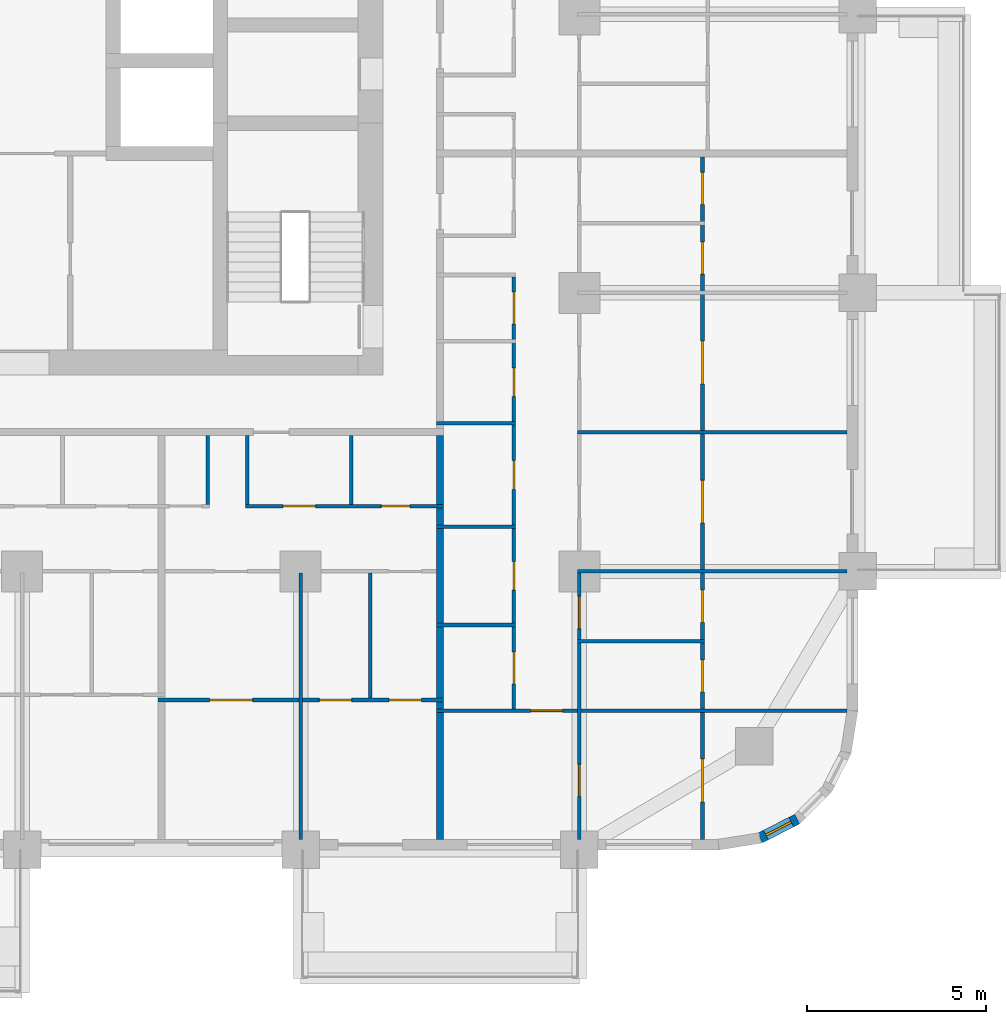
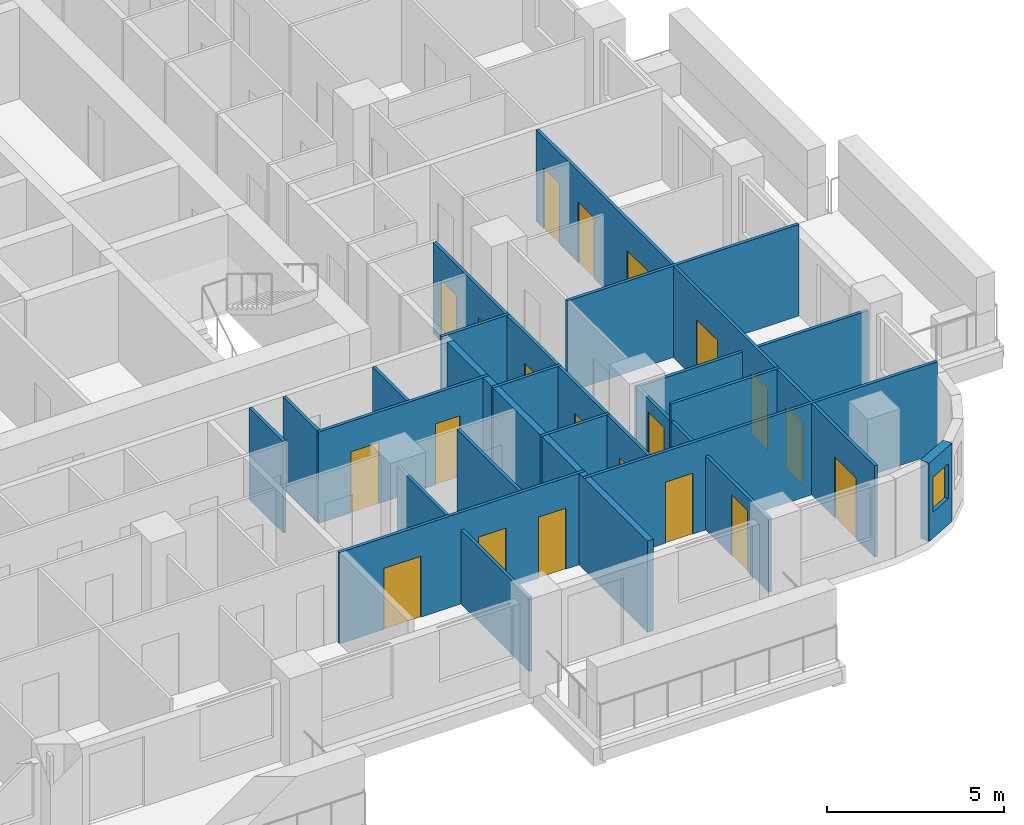
# One storey, part 7 of 17: 20 doors, 19 walls, 1 window, 21 openings.
"""IFC4 building model written with IfcOpenShell, lengths in metres."""

from ifc_helpers import new_model, si_unit, direction, frame, frame_2d, origin, place, context, subcontext, project, spatial, rectangle, extrude, material, layer, layer_set, type_object, element, fill, save


model = new_model("IFC4")

# Units and contexts
model_context = context("Model", 3, precision=1e-05, world=origin(), true_north=direction((0.0, 1.0)))
body_context = subcontext(model_context, "Body", "Model", "MODEL_VIEW")
ifc_project = project(units=[si_unit("LENGTHUNIT", "METRE"), si_unit("AREAUNIT", "SQUARE_METRE"), si_unit("VOLUMEUNIT", "CUBIC_METRE"), si_unit("PLANEANGLEUNIT", "RADIAN"), si_unit("MASSUNIT", "GRAM", prefix="KILO")], contexts=[model_context])

# Site, building, storey
site_placement = place(None, origin())
site = spatial("IfcSite", under=ifc_project, at=site_placement, CompositionType="ELEMENT")
building_placement = place(site_placement, origin())
building = spatial("IfcBuilding", under=site, at=building_placement, Name="Ludao Terraces", CompositionType="ELEMENT")
storey_placement = place(building_placement, frame((0.0, 0.0, 19.5)))
storey = spatial("IfcBuildingStorey", under=building, at=storey_placement, Name="L04", CompositionType="ELEMENT", Elevation=19.5)

# Wall, opening, window
ifc_material_1 = material(Name="Granite cladding", Category="masonry")
ifc_layer_1 = layer(ifc_material_1, 0.0400390625, Category="stone")
ifc_material_2 = material(Name="Mineral wool")
ifc_layer_2 = layer(ifc_material_2, 0.06005859375)
ifc_material_3 = material(Name="Concrete C40", Category="concrete")
ifc_layer_3 = layer(ifc_material_3, 0.199951171875, Category="concrete")
ifc_layer_set_1 = layer_set([ifc_layer_1, ifc_layer_2, ifc_layer_3], Name="ENV Stone-clad wall 300")
wall_type_1 = type_object("IfcWallType", Name="ENV Stone-clad wall 300", PredefinedType="SOLIDWALL", material=ifc_layer_set_1)
wall_1_placement = place(storey_placement, frame((105.65869140625, 41.93359375, 0.0), z_axis=(0.0, 0.0, 1.0), x_axis=(0.890988677504, 0.454025524128, 0.0)))
wall_1 = element("IfcWall", 1, at=wall_1_placement, inside=storey, type_object=wall_type_1, Name="EW-L04-SE2", PredefinedType="SOLIDWALL", context=body_context, shape_type="SweptSolid", body=[
    extrude(rectangle(XDim=1.17333984375, YDim=0.300048828125, at=frame_2d((0.586669921875, 0.0))), origin(), (0.0, 0.0, 1.0), 2.699951171875),
])
opening_1_placement = place(wall_1_placement, frame((0.1865234375, 0.0, 0.89990234375)))
opening_1 = element("IfcOpeningElement", 2, at=opening_1_placement, cuts=wall_1, Name="Opening W3", PredefinedType="OPENING", context=body_context, shape_type="SweptSolid", body=[
    extrude(rectangle(XDim=0.800048828125, YDim=1.199951171875, at=frame_2d((0.39990234375, 0.60009765625))), frame((0.0, 0.16015625, 0.0), z_axis=(0.0, -1.0, 0.0), x_axis=(1.0, 0.0, 0.0)), (0.0, 0.0, 1.0), 0.320068359375),
])
ifc_material_4 = material(Name="Clear glass in aluminium frame", Category="aluminium")
ifc_layer_4 = layer(ifc_material_4, 0.06005859375)
ifc_layer_set_2 = layer_set([ifc_layer_4], Name="ENV Window W3 800x1200")
window_type = type_object("IfcWindowType", Name="ENV Window W3 800x1200", PartitioningType="SINGLE_PANEL", PredefinedType="WINDOW", material=ifc_layer_set_2)
window_placement = place(opening_1_placement, origin())
window = element("IfcWindow", 3, at=window_placement, inside=storey, type_object=window_type, Name="W-L04-SE2", OverallHeight=1.199951171875, OverallWidth=0.800048828125, PartitioningType="SINGLE_PANEL", PredefinedType="WINDOW", context=body_context, shape_type="SweptSolid", body=[
    extrude(rectangle(XDim=0.800048828125, YDim=1.199951171875, at=frame_2d((0.39990234375, 0.60009765625))), frame((0.0, 0.030029296875, 0.0), z_axis=(0.0, -1.0, 0.0), x_axis=(1.0, 0.0, 0.0)), (0.0, 0.0, 1.0), 0.06005859375),
])
fill(opening_1, window)

# Wall, opening, door
ifc_material_5 = material(Name="Gypsum plasterboard", Category="gypsum")
ifc_layer_5 = layer(ifc_material_5, 0.012451171875, Category="gypsum")
ifc_layer_6 = layer(ifc_material_2, 0.06005859375, Name="insulation")
ifc_material_6 = material(Name="Steel Q235", Category="steel")
ifc_layer_7 = layer(ifc_material_6, 0.014892578125, Name="stud")
ifc_layer_8 = layer(ifc_material_5, 0.012451171875, Category="gypsum")
ifc_layer_set_3 = layer_set([ifc_layer_5, ifc_layer_6, ifc_layer_7, ifc_layer_8], Name="INT Partition 100")
wall_type_2 = type_object("IfcWallType", Name="INT Partition 100", PredefinedType="PARTITIONING", material=ifc_layer_set_3)
wall_2_placement = place(storey_placement, frame((96.60009765625, 45.5, 0.0), z_axis=(0.0, 0.0, 1.0), x_axis=(1.0, 0.0, 0.0)))
wall_2 = element("IfcWall", 4, at=wall_2_placement, inside=storey, type_object=wall_type_2, Name="PW-L04-PW001", PredefinedType="PARTITIONING", context=body_context, shape_type="SweptSolid", body=[
    extrude(rectangle(XDim=11.5, YDim=0.10009765625, at=frame_2d((5.75, 0.0))), origin(), (0.0, 0.0, 1.0), 3.14990234375),
])
opening_2_placement = place(wall_2_placement, frame((2.635009765625, 0.0, 0.0)))
opening_2 = element("IfcOpeningElement", 5, at=opening_2_placement, cuts=wall_2, Name="Opening R01-006", PredefinedType="OPENING", context=body_context, shape_type="SweptSolid", body=[
    extrude(rectangle(XDim=0.89990234375, YDim=2.10009765625, at=frame_2d((0.449951171875, 1.050048828125))), frame((0.0, 0.06005859375, 0.0), z_axis=(0.0, -1.0, 0.0), x_axis=(1.0, 0.0, 0.0)), (0.0, 0.0, 1.0), 0.1201171875),
])
ifc_material_7 = material(Name="Timber door leaf", Category="wood")
door_type_1 = type_object("IfcDoorType", Name="INT Room door 900", OperationType="SINGLE_SWING_LEFT", PredefinedType="DOOR", material=ifc_material_7)
door_1_placement = place(opening_2_placement, origin())
door_1 = element("IfcDoor", 6, at=door_1_placement, inside=storey, type_object=door_type_1, Name="DOOR 006", OperationType="SINGLE_SWING_LEFT", OverallHeight=2.10009765625, OverallWidth=0.89990234375, PredefinedType="DOOR", context=body_context, shape_type="SweptSolid", body=[
    extrude(rectangle(XDim=0.89990234375, YDim=2.10009765625, at=frame_2d((0.449951171875, 1.050048828125))), frame((0.0, 0.02490234375, 0.0), z_axis=(0.0, -1.0, 0.0), x_axis=(1.0, 0.0, 0.0)), (0.0, 0.0, 1.0), 0.050048828125),
])
fill(opening_2, door_1)

# Wall, openings, doors
wall_3_placement = place(storey_placement, frame((88.800048828125, 45.800048828125, 0.0), z_axis=(0.0, 0.0, 1.0), x_axis=(1.0, 0.0, 0.0)))
wall_3 = element("IfcWall", 7, at=wall_3_placement, inside=storey, type_object=wall_type_2, Name="PW-L04-PW002", PredefinedType="PARTITIONING", context=body_context, shape_type="SweptSolid", body=[
    extrude(rectangle(XDim=8.0, YDim=0.10009765625, at=frame_2d((4.0, 0.0))), origin(), (0.0, 0.0, 1.0), 3.14990234375),
])
opening_3_placement = place(wall_3_placement, frame((1.449951171875, 0.0, 0.0)))
opening_3 = element("IfcOpeningElement", 8, at=opening_3_placement, cuts=wall_3, Name="Opening R01-007", PredefinedType="OPENING", context=body_context, shape_type="SweptSolid", body=[
    extrude(rectangle(XDim=1.199951171875, YDim=2.10009765625, at=frame_2d((0.60009765625, 1.050048828125))), frame((0.0, 0.06005859375, 0.0), z_axis=(0.0, -1.0, 0.0), x_axis=(1.0, 0.0, 0.0)), (0.0, 0.0, 1.0), 0.1201171875),
])
opening_4_placement = place(wall_3_placement, frame((4.52490234375, 0.0, 0.0)))
opening_4 = element("IfcOpeningElement", 9, at=opening_4_placement, cuts=wall_3, Name="Opening R01-008", PredefinedType="OPENING", context=body_context, shape_type="SweptSolid", body=[
    extrude(rectangle(XDim=0.89990234375, YDim=2.10009765625, at=frame_2d((0.449951171875, 1.050048828125))), frame((0.0, 0.06005859375, 0.0), z_axis=(0.0, -1.0, 0.0), x_axis=(1.0, 0.0, 0.0)), (0.0, 0.0, 1.0), 0.1201171875),
])
opening_5_placement = place(wall_3_placement, frame((6.47509765625, 0.0, 0.0)))
opening_5 = element("IfcOpeningElement", 10, at=opening_5_placement, cuts=wall_3, Name="Opening R01-009", PredefinedType="OPENING", context=body_context, shape_type="SweptSolid", body=[
    extrude(rectangle(XDim=0.89990234375, YDim=2.10009765625, at=frame_2d((0.449951171875, 1.050048828125))), frame((0.0, 0.06005859375, 0.0), z_axis=(0.0, -1.0, 0.0), x_axis=(1.0, 0.0, 0.0)), (0.0, 0.0, 1.0), 0.1201171875),
])
door_type_2 = type_object("IfcDoorType", Name="INT Bathroom door 900", OperationType="SINGLE_SWING_LEFT", PredefinedType="DOOR", material=ifc_material_7)
door_2_placement = place(opening_4_placement, origin())
door_2 = element("IfcDoor", 11, at=door_2_placement, inside=storey, type_object=door_type_2, Name="DOOR 008", OperationType="SINGLE_SWING_LEFT", OverallHeight=2.10009765625, OverallWidth=0.89990234375, PredefinedType="DOOR", context=body_context, shape_type="SweptSolid", body=[
    extrude(rectangle(XDim=0.89990234375, YDim=2.10009765625, at=frame_2d((0.449951171875, 1.050048828125))), frame((0.0, 0.02490234375, 0.0), z_axis=(0.0, -1.0, 0.0), x_axis=(1.0, 0.0, 0.0)), (0.0, 0.0, 1.0), 0.050048828125),
])
fill(opening_4, door_2)
door_type_3 = type_object("IfcDoorType", Name="INT Double door 1200", OperationType="DOUBLE_DOOR_SINGLE_SWING", PredefinedType="DOOR", material=ifc_material_7)
door_3_placement = place(opening_3_placement, origin())
door_3 = element("IfcDoor", 12, at=door_3_placement, inside=storey, type_object=door_type_3, Name="DOOR 007", OperationType="DOUBLE_DOOR_SINGLE_SWING", OverallHeight=2.10009765625, OverallWidth=1.199951171875, PredefinedType="DOOR", context=body_context, shape_type="SweptSolid", body=[
    extrude(rectangle(XDim=1.199951171875, YDim=2.10009765625, at=frame_2d((0.60009765625, 1.050048828125))), frame((0.0, 0.02490234375, 0.0), z_axis=(0.0, -1.0, 0.0), x_axis=(1.0, 0.0, 0.0)), (0.0, 0.0, 1.0), 0.050048828125),
])
fill(opening_3, door_3)
door_4_placement = place(opening_5_placement, origin())
door_4 = element("IfcDoor", 13, at=door_4_placement, inside=storey, type_object=door_type_1, Name="DOOR 009", OperationType="SINGLE_SWING_RIGHT", OverallHeight=2.10009765625, OverallWidth=0.89990234375, PredefinedType="DOOR", context=body_context, shape_type="SweptSolid", body=[
    extrude(rectangle(XDim=0.89990234375, YDim=2.10009765625, at=frame_2d((0.449951171875, 1.050048828125))), frame((0.0, 0.02490234375, 0.0), z_axis=(0.0, -1.0, 0.0), x_axis=(1.0, 0.0, 0.0)), (0.0, 0.0, 1.0), 0.050048828125),
])
fill(opening_5, door_4)

# Walls
wall_4_placement = place(storey_placement, frame((100.550048828125, 47.449951171875, 0.0), z_axis=(0.0, 0.0, 1.0), x_axis=(1.0, 0.0, 0.0)))
element("IfcWall", 14, at=wall_4_placement, inside=storey, type_object=wall_type_2, Name="PW-L04-PW004", PredefinedType="PARTITIONING", context=body_context, shape_type="SweptSolid", body=[
    extrude(rectangle(XDim=3.550048828125, YDim=0.10009765625, at=frame_2d((1.77490234375, 0.0))), origin(), (0.0, 0.0, 1.0), 3.14990234375),
])
wall_5_placement = place(storey_placement, frame((96.60009765625, 47.89990234375, 0.0), z_axis=(0.0, 0.0, 1.0), x_axis=(1.0, 0.0, 0.0)))
element("IfcWall", 15, at=wall_5_placement, inside=storey, type_object=wall_type_2, Name="PW-L04-PW006", PredefinedType="PARTITIONING", context=body_context, shape_type="SweptSolid", body=[
    extrude(rectangle(XDim=2.219970703125, YDim=0.10009765625, at=frame_2d((1.10986328125, 0.0))), origin(), (0.0, 0.0, 1.0), 3.14990234375),
])
wall_6_placement = place(storey_placement, frame((100.550048828125, 49.39990234375, 0.0), z_axis=(0.0, 0.0, 1.0), x_axis=(1.0, 0.0, 0.0)))
element("IfcWall", 16, at=wall_6_placement, inside=storey, type_object=wall_type_2, Name="PW-L04-PW009", PredefinedType="PARTITIONING", context=body_context, shape_type="SweptSolid", body=[
    extrude(rectangle(XDim=7.550048828125, YDim=0.10009765625, at=frame_2d((3.77490234375, 0.0))), origin(), (0.0, 0.0, 1.0), 2.550048828125),
])
wall_7_placement = place(storey_placement, frame((96.60009765625, 50.64990234375, 0.0), z_axis=(0.0, 0.0, 1.0), x_axis=(1.0, 0.0, 0.0)))
element("IfcWall", 17, at=wall_7_placement, inside=storey, type_object=wall_type_2, Name="PW-L04-PW011", PredefinedType="PARTITIONING", context=body_context, shape_type="SweptSolid", body=[
    extrude(rectangle(XDim=2.219970703125, YDim=0.10009765625, at=frame_2d((1.10986328125, 0.0))), origin(), (0.0, 0.0, 1.0), 3.14990234375),
])

# Wall, openings, doors
wall_8_placement = place(storey_placement, frame((91.25, 51.22998046875, 0.0), z_axis=(0.0, 0.0, 1.0), x_axis=(1.0, 0.0, 0.0)))
wall_8 = element("IfcWall", 18, at=wall_8_placement, inside=storey, type_object=wall_type_2, Name="PW-L04-PW014", PredefinedType="PARTITIONING", context=body_context, shape_type="SweptSolid", body=[
    extrude(rectangle(XDim=5.550048828125, YDim=0.10009765625, at=frame_2d((2.77490234375, 0.0))), origin(), (0.0, 0.0, 1.0), 3.14990234375),
])
opening_6_placement = place(wall_8_placement, frame((1.06005859375, 0.0, 0.0)))
opening_6 = element("IfcOpeningElement", 19, at=opening_6_placement, cuts=wall_8, Name="Opening R01-039", PredefinedType="OPENING", context=body_context, shape_type="SweptSolid", body=[
    extrude(rectangle(XDim=0.89990234375, YDim=2.10009765625, at=frame_2d((0.449951171875, 1.050048828125))), frame((0.0, 0.06005859375, 0.0), z_axis=(0.0, -1.0, 0.0), x_axis=(1.0, 0.0, 0.0)), (0.0, 0.0, 1.0), 0.1201171875),
])
opening_7_placement = place(wall_8_placement, frame((3.81005859375, 0.0, 0.0)))
opening_7 = element("IfcOpeningElement", 20, at=opening_7_placement, cuts=wall_8, Name="Opening R01-040", PredefinedType="OPENING", context=body_context, shape_type="SweptSolid", body=[
    extrude(rectangle(XDim=0.800048828125, YDim=2.10009765625, at=frame_2d((0.39990234375, 1.050048828125))), frame((0.0, 0.06005859375, 0.0), z_axis=(0.0, -1.0, 0.0), x_axis=(1.0, 0.0, 0.0)), (0.0, 0.0, 1.0), 0.1201171875),
])
door_5_placement = place(opening_6_placement, origin())
door_5 = element("IfcDoor", 21, at=door_5_placement, inside=storey, type_object=door_type_1, Name="DOOR 039", OperationType="SINGLE_SWING_LEFT", OverallHeight=2.10009765625, OverallWidth=0.89990234375, PredefinedType="DOOR", context=body_context, shape_type="SweptSolid", body=[
    extrude(rectangle(XDim=0.89990234375, YDim=2.10009765625, at=frame_2d((0.449951171875, 1.050048828125))), frame((0.0, 0.02490234375, 0.0), z_axis=(0.0, -1.0, 0.0), x_axis=(1.0, 0.0, 0.0)), (0.0, 0.0, 1.0), 0.050048828125),
])
fill(opening_6, door_5)
door_type_4 = type_object("IfcDoorType", Name="INT Store door 800", OperationType="SINGLE_SWING_LEFT", PredefinedType="DOOR", material=ifc_material_7)
door_6_placement = place(opening_7_placement, origin())
door_6 = element("IfcDoor", 22, at=door_6_placement, inside=storey, type_object=door_type_4, Name="DOOR 040", OperationType="SINGLE_SWING_RIGHT", OverallHeight=2.10009765625, OverallWidth=0.800048828125, PredefinedType="DOOR", context=body_context, shape_type="SweptSolid", body=[
    extrude(rectangle(XDim=0.800048828125, YDim=2.10009765625, at=frame_2d((0.39990234375, 1.050048828125))), frame((0.0, 0.02490234375, 0.0), z_axis=(0.0, -1.0, 0.0), x_axis=(1.0, 0.0, 0.0)), (0.0, 0.0, 1.0), 0.050048828125),
])
fill(opening_7, door_6)

# Walls
wall_9_placement = place(storey_placement, frame((100.550048828125, 53.300048828125, 0.0), z_axis=(0.0, 0.0, 1.0), x_axis=(1.0, 0.0, 0.0)))
element("IfcWall", 23, at=wall_9_placement, inside=storey, type_object=wall_type_2, Name="PW-L04-PW018", PredefinedType="PARTITIONING", context=body_context, shape_type="SweptSolid", body=[
    extrude(rectangle(XDim=7.550048828125, YDim=0.10009765625, at=frame_2d((3.77490234375, 0.0))), origin(), (0.0, 0.0, 1.0), 3.14990234375),
])
wall_10_placement = place(storey_placement, frame((96.60009765625, 53.550048828125, 0.0), z_axis=(0.0, 0.0, 1.0), x_axis=(1.0, 0.0, 0.0)))
element("IfcWall", 24, at=wall_10_placement, inside=storey, type_object=wall_type_2, Name="PW-L04-PW019", PredefinedType="PARTITIONING", context=body_context, shape_type="SweptSolid", body=[
    extrude(rectangle(XDim=2.219970703125, YDim=0.10009765625, at=frame_2d((1.10986328125, 0.0))), origin(), (0.0, 0.0, 1.0), 3.14990234375),
])
for number, where, z_axis, x_axis, name in (
    (25, (90.199951171875, 51.280029296875, 0.0), (0.0, 0.0, 1.0), (0.0, 1.0, 0.0), "PW-L04-PW103"),
    (26, (91.300048828125, 51.280029296875, 0.0), (0.0, 0.0, 1.0), (0.0, 1.0, 0.0), "PW-L04-PW104"),
):
    element("IfcWall", number, at=place(storey_placement, frame(where, z_axis=z_axis, x_axis=x_axis)), inside=storey, type_object=wall_type_2, Name=name, PredefinedType="PARTITIONING", context=body_context, shape_type="SweptSolid", body=[
        extrude(rectangle(XDim=1.920166015625, YDim=0.10009765625, at=frame_2d((0.9599609375, 0.0))), origin(), (0.0, 0.0, 1.0), 3.14990234375),
    ])
wall_11_placement = place(storey_placement, frame((92.800048828125, 41.900146484375, 0.0), z_axis=(0.0, 0.0, 1.0), x_axis=(0.0, 1.0, 0.0)))
element("IfcWall", 27, at=wall_11_placement, inside=storey, type_object=wall_type_2, Name="PW-L04-PW105", PredefinedType="PARTITIONING", context=body_context, shape_type="SweptSolid", body=[
    extrude(rectangle(XDim=7.449951171875, YDim=0.10009765625, at=frame_2d((3.72509765625, 0.0))), origin(), (0.0, 0.0, 1.0), 2.550048828125),
])
wall_12_placement = place(storey_placement, frame((94.219970703125, 51.280029296875, 0.0), z_axis=(0.0, 0.0, 1.0), x_axis=(0.0, 1.0, 0.0)))
element("IfcWall", 28, at=wall_12_placement, inside=storey, type_object=wall_type_2, Name="PW-L04-PW107", PredefinedType="PARTITIONING", context=body_context, shape_type="SweptSolid", body=[
    extrude(rectangle(XDim=1.920166015625, YDim=0.10009765625, at=frame_2d((0.9599609375, 0.0))), origin(), (0.0, 0.0, 1.0), 3.14990234375),
])
wall_13_placement = place(storey_placement, frame((94.75, 45.85009765625, 0.0), z_axis=(0.0, 0.0, 1.0), x_axis=(0.0, 1.0, 0.0)))
element("IfcWall", 29, at=wall_13_placement, inside=storey, type_object=wall_type_2, Name="PW-L04-PW108", PredefinedType="PARTITIONING", context=body_context, shape_type="SweptSolid", body=[
    extrude(rectangle(XDim=3.5, YDim=0.10009765625, at=frame_2d((1.75, 0.0))), origin(), (0.0, 0.0, 1.0), 3.14990234375),
])

# Wall, openings, doors
wall_14_placement = place(storey_placement, frame((98.77001953125, 45.550048828125, 0.0), z_axis=(0.0, 0.0, 1.0), x_axis=(0.0, 1.0, 0.0)))
wall_14 = element("IfcWall", 30, at=wall_14_placement, inside=storey, type_object=wall_type_2, Name="PW-L04-PW112", PredefinedType="PARTITIONING", context=body_context, shape_type="SweptSolid", body=[
    extrude(rectangle(XDim=12.10009765625, YDim=0.10009765625, at=frame_2d((6.050048828125, 0.0))), origin(), (0.0, 0.0, 1.0), 3.14990234375),
])
opening_8_placement = place(wall_14_placement, frame((0.699951171875, 0.0, 0.0)))
opening_8 = element("IfcOpeningElement", 31, at=opening_8_placement, cuts=wall_14, Name="Opening R01-018", PredefinedType="OPENING", context=body_context, shape_type="SweptSolid", body=[
    extrude(rectangle(XDim=0.89990234375, YDim=2.10009765625, at=frame_2d((0.449951171875, 1.050048828125))), frame((0.0, 0.06005859375, 0.0), z_axis=(0.0, -1.0, 0.0), x_axis=(1.0, 0.0, 0.0)), (0.0, 0.0, 1.0), 0.1201171875),
])
opening_9_placement = place(wall_14_placement, frame((3.324951171875, 0.0, 0.0)))
opening_9 = element("IfcOpeningElement", 32, at=opening_9_placement, cuts=wall_14, Name="Opening R01-024", PredefinedType="OPENING", context=body_context, shape_type="SweptSolid", body=[
    extrude(rectangle(XDim=0.800048828125, YDim=2.10009765625, at=frame_2d((0.39990234375, 1.050048828125))), frame((0.0, 0.06005859375, 0.0), z_axis=(0.0, -1.0, 0.0), x_axis=(1.0, 0.0, 0.0)), (0.0, 0.0, 1.0), 0.1201171875),
])
opening_10_placement = place(wall_14_placement, frame((6.14990234375, 0.0, 0.0)))
opening_10 = element("IfcOpeningElement", 33, at=opening_10_placement, cuts=wall_14, Name="Opening R01-045", PredefinedType="OPENING", context=body_context, shape_type="SweptSolid", body=[
    extrude(rectangle(XDim=0.800048828125, YDim=2.10009765625, at=frame_2d((0.39990234375, 1.050048828125))), frame((0.0, 0.06005859375, 0.0), z_axis=(0.0, -1.0, 0.0), x_axis=(1.0, 0.0, 0.0)), (0.0, 0.0, 1.0), 0.1201171875),
])
opening_11_placement = place(wall_14_placement, frame((8.75, 0.0, 0.0)))
opening_11 = element("IfcOpeningElement", 34, at=opening_11_placement, cuts=wall_14, Name="Opening R01-050", PredefinedType="OPENING", context=body_context, shape_type="SweptSolid", body=[
    extrude(rectangle(XDim=0.800048828125, YDim=2.10009765625, at=frame_2d((0.39990234375, 1.050048828125))), frame((0.0, 0.06005859375, 0.0), z_axis=(0.0, -1.0, 0.0), x_axis=(1.0, 0.0, 0.0)), (0.0, 0.0, 1.0), 0.1201171875),
])
opening_12_placement = place(wall_14_placement, frame((10.77490234375, 0.0, 0.0)))
opening_12 = element("IfcOpeningElement", 35, at=opening_12_placement, cuts=wall_14, Name="Opening R01-058", PredefinedType="OPENING", context=body_context, shape_type="SweptSolid", body=[
    extrude(rectangle(XDim=0.89990234375, YDim=2.10009765625, at=frame_2d((0.449951171875, 1.050048828125))), frame((0.0, 0.06005859375, 0.0), z_axis=(0.0, -1.0, 0.0), x_axis=(1.0, 0.0, 0.0)), (0.0, 0.0, 1.0), 0.1201171875),
])
door_7_placement = place(opening_8_placement, origin())
door_7 = element("IfcDoor", 36, at=door_7_placement, inside=storey, type_object=door_type_2, Name="DOOR 018", OperationType="SINGLE_SWING_RIGHT", OverallHeight=2.10009765625, OverallWidth=0.89990234375, PredefinedType="DOOR", context=body_context, shape_type="SweptSolid", body=[
    extrude(rectangle(XDim=0.89990234375, YDim=2.10009765625, at=frame_2d((0.449951171875, 1.050048828125))), frame((0.0, 0.02490234375, 0.0), z_axis=(0.0, -1.0, 0.0), x_axis=(1.0, 0.0, 0.0)), (0.0, 0.0, 1.0), 0.050048828125),
])
fill(opening_8, door_7)
door_8_placement = place(opening_12_placement, origin())
door_8 = element("IfcDoor", 37, at=door_8_placement, inside=storey, type_object=door_type_2, Name="DOOR 058", OperationType="SINGLE_SWING_LEFT", OverallHeight=2.10009765625, OverallWidth=0.89990234375, PredefinedType="DOOR", context=body_context, shape_type="SweptSolid", body=[
    extrude(rectangle(XDim=0.89990234375, YDim=2.10009765625, at=frame_2d((0.449951171875, 1.050048828125))), frame((0.0, 0.02490234375, 0.0), z_axis=(0.0, -1.0, 0.0), x_axis=(1.0, 0.0, 0.0)), (0.0, 0.0, 1.0), 0.050048828125),
])
fill(opening_12, door_8)
door_9_placement = place(opening_9_placement, origin())
door_9 = element("IfcDoor", 38, at=door_9_placement, inside=storey, type_object=door_type_4, Name="DOOR 024", OperationType="SINGLE_SWING_LEFT", OverallHeight=2.10009765625, OverallWidth=0.800048828125, PredefinedType="DOOR", context=body_context, shape_type="SweptSolid", body=[
    extrude(rectangle(XDim=0.800048828125, YDim=2.10009765625, at=frame_2d((0.39990234375, 1.050048828125))), frame((0.0, 0.02490234375, 0.0), z_axis=(0.0, -1.0, 0.0), x_axis=(1.0, 0.0, 0.0)), (0.0, 0.0, 1.0), 0.050048828125),
])
fill(opening_9, door_9)
door_10_placement = place(opening_10_placement, origin())
door_10 = element("IfcDoor", 39, at=door_10_placement, inside=storey, type_object=door_type_4, Name="DOOR 045", OperationType="SINGLE_SWING_LEFT", OverallHeight=2.10009765625, OverallWidth=0.800048828125, PredefinedType="DOOR", context=body_context, shape_type="SweptSolid", body=[
    extrude(rectangle(XDim=0.800048828125, YDim=2.10009765625, at=frame_2d((0.39990234375, 1.050048828125))), frame((0.0, 0.02490234375, 0.0), z_axis=(0.0, -1.0, 0.0), x_axis=(1.0, 0.0, 0.0)), (0.0, 0.0, 1.0), 0.050048828125),
])
fill(opening_10, door_10)
door_11_placement = place(opening_11_placement, origin())
door_11 = element("IfcDoor", 40, at=door_11_placement, inside=storey, type_object=door_type_4, Name="DOOR 050", OperationType="SINGLE_SWING_LEFT", OverallHeight=2.10009765625, OverallWidth=0.800048828125, PredefinedType="DOOR", context=body_context, shape_type="SweptSolid", body=[
    extrude(rectangle(XDim=0.800048828125, YDim=2.10009765625, at=frame_2d((0.39990234375, 1.050048828125))), frame((0.0, 0.02490234375, 0.0), z_axis=(0.0, -1.0, 0.0), x_axis=(1.0, 0.0, 0.0)), (0.0, 0.0, 1.0), 0.050048828125),
])
fill(opening_11, door_11)

wall_15_placement = place(storey_placement, frame((100.60009765625, 41.900146484375, 0.0), z_axis=(0.0, 0.0, 1.0), x_axis=(0.0, 1.0, 0.0)))
wall_15 = element("IfcWall", 41, at=wall_15_placement, inside=storey, type_object=wall_type_2, Name="PW-L04-PW116", PredefinedType="PARTITIONING", context=body_context, shape_type="SweptSolid", body=[
    extrude(rectangle(XDim=7.499755859375, YDim=0.10009765625, at=frame_2d((3.75, 0.0))), origin(), (0.0, 0.0, 1.0), 2.550048828125),
])
opening_13_placement = place(wall_15_placement, frame((1.199951171875, 0.0, 0.0)))
opening_13 = element("IfcOpeningElement", 42, at=opening_13_placement, cuts=wall_15, Name="Opening R01-003", PredefinedType="OPENING", context=body_context, shape_type="SweptSolid", body=[
    extrude(rectangle(XDim=0.89990234375, YDim=2.10009765625, at=frame_2d((0.449951171875, 1.050048828125))), frame((0.0, 0.06005859375, 0.0), z_axis=(0.0, -1.0, 0.0), x_axis=(1.0, 0.0, 0.0)), (0.0, 0.0, 1.0), 0.1201171875),
])
opening_14_placement = place(wall_15_placement, frame((5.89990234375, 0.0, 0.0)))
opening_14 = element("IfcOpeningElement", 43, at=opening_14_placement, cuts=wall_15, Name="Opening R01-021", PredefinedType="OPENING", context=body_context, shape_type="SweptSolid", body=[
    extrude(rectangle(XDim=0.89990234375, YDim=2.10009765625, at=frame_2d((0.449951171875, 1.050048828125))), frame((0.0, 0.06005859375, 0.0), z_axis=(0.0, -1.0, 0.0), x_axis=(1.0, 0.0, 0.0)), (0.0, 0.0, 1.0), 0.1201171875),
])
door_12_placement = place(opening_13_placement, origin())
door_12 = element("IfcDoor", 44, at=door_12_placement, inside=storey, type_object=door_type_1, Name="DOOR 003", OperationType="SINGLE_SWING_RIGHT", OverallHeight=2.10009765625, OverallWidth=0.89990234375, PredefinedType="DOOR", context=body_context, shape_type="SweptSolid", body=[
    extrude(rectangle(XDim=0.89990234375, YDim=2.10009765625, at=frame_2d((0.449951171875, 1.050048828125))), frame((0.0, 0.02490234375, 0.0), z_axis=(0.0, -1.0, 0.0), x_axis=(1.0, 0.0, 0.0)), (0.0, 0.0, 1.0), 0.050048828125),
])
fill(opening_13, door_12)
door_13_placement = place(opening_14_placement, origin())
door_13 = element("IfcDoor", 45, at=door_13_placement, inside=storey, type_object=door_type_1, Name="DOOR 021", OperationType="SINGLE_SWING_RIGHT", OverallHeight=2.10009765625, OverallWidth=0.89990234375, PredefinedType="DOOR", context=body_context, shape_type="SweptSolid", body=[
    extrude(rectangle(XDim=0.89990234375, YDim=2.10009765625, at=frame_2d((0.449951171875, 1.050048828125))), frame((0.0, 0.02490234375, 0.0), z_axis=(0.0, -1.0, 0.0), x_axis=(1.0, 0.0, 0.0)), (0.0, 0.0, 1.0), 0.050048828125),
])
fill(opening_14, door_13)

wall_16_placement = place(storey_placement, frame((104.050048828125, 41.900146484375, 0.0), z_axis=(0.0, 0.0, 1.0), x_axis=(0.0, 1.0, 0.0)))
wall_16 = element("IfcWall", 46, at=wall_16_placement, inside=storey, type_object=wall_type_2, Name="PW-L04-PW117", PredefinedType="PARTITIONING", context=body_context, shape_type="SweptSolid", body=[
    extrude(rectangle(XDim=19.099853515625, YDim=0.10009765625, at=frame_2d((9.5498046875, 0.0))), origin(), (0.0, 0.0, 1.0), 3.14990234375),
])
opening_15_placement = place(wall_16_placement, frame((1.050048828125, 0.0, 0.0)))
opening_15 = element("IfcOpeningElement", 47, at=opening_15_placement, cuts=wall_16, Name="Opening R01-004", PredefinedType="OPENING", context=body_context, shape_type="SweptSolid", body=[
    extrude(rectangle(XDim=1.199951171875, YDim=2.10009765625, at=frame_2d((0.60009765625, 1.050048828125))), frame((0.0, 0.06005859375, 0.0), z_axis=(0.0, -1.0, 0.0), x_axis=(1.0, 0.0, 0.0)), (0.0, 0.0, 1.0), 0.1201171875),
])
opening_16_placement = place(wall_16_placement, frame((4.125, 0.0, 0.0)))
opening_16 = element("IfcOpeningElement", 48, at=opening_16_placement, cuts=wall_16, Name="Opening R01-016", PredefinedType="OPENING", context=body_context, shape_type="SweptSolid", body=[
    extrude(rectangle(XDim=0.89990234375, YDim=2.10009765625, at=frame_2d((0.449951171875, 1.050048828125))), frame((0.0, 0.06005859375, 0.0), z_axis=(0.0, -1.0, 0.0), x_axis=(1.0, 0.0, 0.0)), (0.0, 0.0, 1.0), 0.1201171875),
])
opening_17_placement = place(wall_16_placement, frame((6.074951171875, 0.0, 0.0)))
opening_17 = element("IfcOpeningElement", 49, at=opening_17_placement, cuts=wall_16, Name="Opening R01-022", PredefinedType="OPENING", context=body_context, shape_type="SweptSolid", body=[
    extrude(rectangle(XDim=0.89990234375, YDim=2.10009765625, at=frame_2d((0.449951171875, 1.050048828125))), frame((0.0, 0.06005859375, 0.0), z_axis=(0.0, -1.0, 0.0), x_axis=(1.0, 0.0, 0.0)), (0.0, 0.0, 1.0), 0.1201171875),
])
opening_18_placement = place(wall_16_placement, frame((8.85009765625, 0.0, 0.0)))
opening_18 = element("IfcOpeningElement", 50, at=opening_18_placement, cuts=wall_16, Name="Opening R01-044", PredefinedType="OPENING", context=body_context, shape_type="SweptSolid", body=[
    extrude(rectangle(XDim=1.199951171875, YDim=2.10009765625, at=frame_2d((0.60009765625, 1.050048828125))), frame((0.0, 0.06005859375, 0.0), z_axis=(0.0, -1.0, 0.0), x_axis=(1.0, 0.0, 0.0)), (0.0, 0.0, 1.0), 0.1201171875),
])
opening_19_placement = place(wall_16_placement, frame((12.75, 0.0, 0.0)))
opening_19 = element("IfcOpeningElement", 51, at=opening_19_placement, cuts=wall_16, Name="Opening R01-053", PredefinedType="OPENING", context=body_context, shape_type="SweptSolid", body=[
    extrude(rectangle(XDim=1.199951171875, YDim=2.10009765625, at=frame_2d((0.60009765625, 1.050048828125))), frame((0.0, 0.06005859375, 0.0), z_axis=(0.0, -1.0, 0.0), x_axis=(1.0, 0.0, 0.0)), (0.0, 0.0, 1.0), 0.1201171875),
])
opening_20_placement = place(wall_16_placement, frame((15.824951171875, 0.0, 0.0)))
opening_20 = element("IfcOpeningElement", 52, at=opening_20_placement, cuts=wall_16, Name="Opening R01-062", PredefinedType="OPENING", context=body_context, shape_type="SweptSolid", body=[
    extrude(rectangle(XDim=0.89990234375, YDim=2.10009765625, at=frame_2d((0.449951171875, 1.050048828125))), frame((0.0, 0.06005859375, 0.0), z_axis=(0.0, -1.0, 0.0), x_axis=(1.0, 0.0, 0.0)), (0.0, 0.0, 1.0), 0.1201171875),
])
opening_21_placement = place(wall_16_placement, frame((17.77490234375, 0.0, 0.0)))
opening_21 = element("IfcOpeningElement", 53, at=opening_21_placement, cuts=wall_16, Name="Opening R01-069", PredefinedType="OPENING", context=body_context, shape_type="SweptSolid", body=[
    extrude(rectangle(XDim=0.89990234375, YDim=2.10009765625, at=frame_2d((0.449951171875, 1.050048828125))), frame((0.0, 0.06005859375, 0.0), z_axis=(0.0, -1.0, 0.0), x_axis=(1.0, 0.0, 0.0)), (0.0, 0.0, 1.0), 0.1201171875),
])
door_14_placement = place(opening_16_placement, origin())
door_14 = element("IfcDoor", 54, at=door_14_placement, inside=storey, type_object=door_type_2, Name="DOOR 016", OperationType="SINGLE_SWING_LEFT", OverallHeight=2.10009765625, OverallWidth=0.89990234375, PredefinedType="DOOR", context=body_context, shape_type="SweptSolid", body=[
    extrude(rectangle(XDim=0.89990234375, YDim=2.10009765625, at=frame_2d((0.449951171875, 1.050048828125))), frame((0.0, 0.02490234375, 0.0), z_axis=(0.0, -1.0, 0.0), x_axis=(1.0, 0.0, 0.0)), (0.0, 0.0, 1.0), 0.050048828125),
])
fill(opening_16, door_14)
door_15_placement = place(opening_20_placement, origin())
door_15 = element("IfcDoor", 55, at=door_15_placement, inside=storey, type_object=door_type_2, Name="DOOR 062", OperationType="SINGLE_SWING_RIGHT", OverallHeight=2.10009765625, OverallWidth=0.89990234375, PredefinedType="DOOR", context=body_context, shape_type="SweptSolid", body=[
    extrude(rectangle(XDim=0.89990234375, YDim=2.10009765625, at=frame_2d((0.449951171875, 1.050048828125))), frame((0.0, 0.02490234375, 0.0), z_axis=(0.0, -1.0, 0.0), x_axis=(1.0, 0.0, 0.0)), (0.0, 0.0, 1.0), 0.050048828125),
])
fill(opening_20, door_15)
door_16_placement = place(opening_15_placement, origin())
door_16 = element("IfcDoor", 56, at=door_16_placement, inside=storey, type_object=door_type_3, Name="DOOR 004", OperationType="DOUBLE_DOOR_SINGLE_SWING", OverallHeight=2.10009765625, OverallWidth=1.199951171875, PredefinedType="DOOR", context=body_context, shape_type="SweptSolid", body=[
    extrude(rectangle(XDim=1.199951171875, YDim=2.10009765625, at=frame_2d((0.60009765625, 1.050048828125))), frame((0.0, 0.02490234375, 0.0), z_axis=(0.0, -1.0, 0.0), x_axis=(1.0, 0.0, 0.0)), (0.0, 0.0, 1.0), 0.050048828125),
])
fill(opening_15, door_16)
door_17_placement = place(opening_18_placement, origin())
door_17 = element("IfcDoor", 57, at=door_17_placement, inside=storey, type_object=door_type_3, Name="DOOR 044", OperationType="DOUBLE_DOOR_SINGLE_SWING", OverallHeight=2.10009765625, OverallWidth=1.199951171875, PredefinedType="DOOR", context=body_context, shape_type="SweptSolid", body=[
    extrude(rectangle(XDim=1.199951171875, YDim=2.10009765625, at=frame_2d((0.60009765625, 1.050048828125))), frame((0.0, 0.02490234375, 0.0), z_axis=(0.0, -1.0, 0.0), x_axis=(1.0, 0.0, 0.0)), (0.0, 0.0, 1.0), 0.050048828125),
])
fill(opening_18, door_17)
door_18_placement = place(opening_19_placement, origin())
door_18 = element("IfcDoor", 58, at=door_18_placement, inside=storey, type_object=door_type_3, Name="DOOR 053", OperationType="DOUBLE_DOOR_SINGLE_SWING", OverallHeight=2.10009765625, OverallWidth=1.199951171875, PredefinedType="DOOR", context=body_context, shape_type="SweptSolid", body=[
    extrude(rectangle(XDim=1.199951171875, YDim=2.10009765625, at=frame_2d((0.60009765625, 1.050048828125))), frame((0.0, 0.02490234375, 0.0), z_axis=(0.0, -1.0, 0.0), x_axis=(1.0, 0.0, 0.0)), (0.0, 0.0, 1.0), 0.050048828125),
])
fill(opening_19, door_18)
door_19_placement = place(opening_17_placement, origin())
door_19 = element("IfcDoor", 59, at=door_19_placement, inside=storey, type_object=door_type_1, Name="DOOR 022", OperationType="SINGLE_SWING_RIGHT", OverallHeight=2.10009765625, OverallWidth=0.89990234375, PredefinedType="DOOR", context=body_context, shape_type="SweptSolid", body=[
    extrude(rectangle(XDim=0.89990234375, YDim=2.10009765625, at=frame_2d((0.449951171875, 1.050048828125))), frame((0.0, 0.02490234375, 0.0), z_axis=(0.0, -1.0, 0.0), x_axis=(1.0, 0.0, 0.0)), (0.0, 0.0, 1.0), 0.050048828125),
])
fill(opening_17, door_19)
door_20_placement = place(opening_21_placement, origin())
door_20 = element("IfcDoor", 60, at=door_20_placement, inside=storey, type_object=door_type_1, Name="DOOR 069", OperationType="SINGLE_SWING_RIGHT", OverallHeight=2.10009765625, OverallWidth=0.89990234375, PredefinedType="DOOR", context=body_context, shape_type="SweptSolid", body=[
    extrude(rectangle(XDim=0.89990234375, YDim=2.10009765625, at=frame_2d((0.449951171875, 1.050048828125))), frame((0.0, 0.02490234375, 0.0), z_axis=(0.0, -1.0, 0.0), x_axis=(1.0, 0.0, 0.0)), (0.0, 0.0, 1.0), 0.050048828125),
])
fill(opening_21, door_20)

# Wall
ifc_material_8 = material(Name="Autoclaved aerated concrete block B06 A3.5", Category="concrete")
ifc_layer_9 = layer(ifc_material_8, 0.199951171875)
ifc_layer_set_4 = layer_set([ifc_layer_9], Name="INT Party wall 200")
wall_type_3 = type_object("IfcWallType", Name="INT Party wall 200", PredefinedType="PARTITIONING", material=ifc_layer_set_4)
wall_17_placement = place(storey_placement, frame((96.699951171875, 41.900146484375, 0.0), z_axis=(0.0, 0.0, 1.0), x_axis=(0.0, 1.0, 0.0)))
element("IfcWall", 61, at=wall_17_placement, inside=storey, type_object=wall_type_3, Name="PW-L04-PW109", PredefinedType="PARTITIONING", context=body_context, shape_type="SweptSolid", body=[
    extrude(rectangle(XDim=11.300048828125, YDim=0.199951171875, at=frame_2d((5.64990234375, 0.0))), origin(), (0.0, 0.0, 1.0), 3.14990234375),
])

save(model, "model.ifc")
